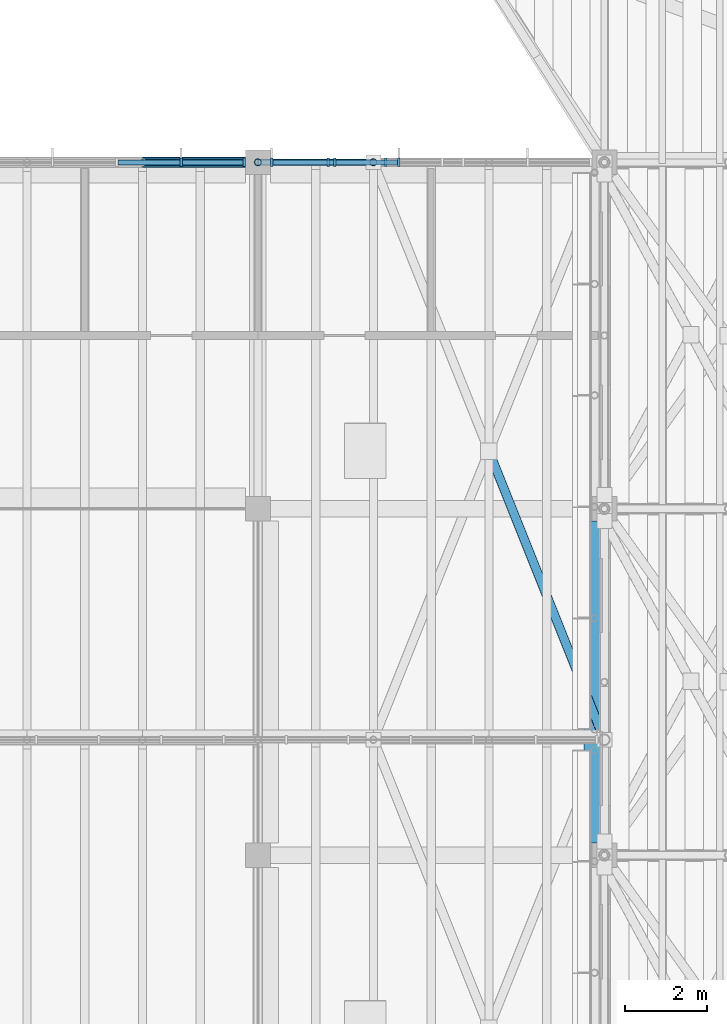
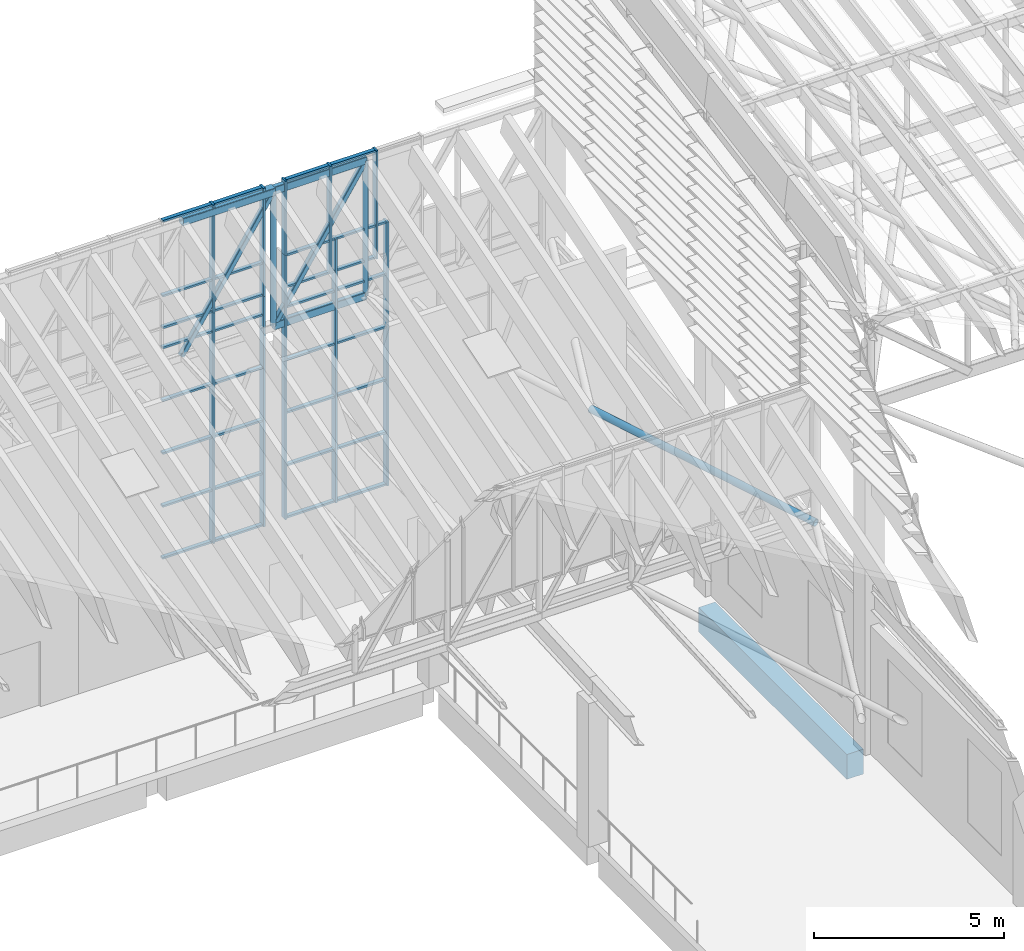
# One storey, part 34 of 91: 50 members, 1 beam, 4 elements without a shape of their own.
"""IFC4 building model written with IfcOpenShell, lengths in metres."""

import ifcopenshell
import ifcopenshell.guid

model = None  # the IFC model being written
_history = None  # IfcOwnerHistory: only IFC2X3 demands one
_inside = {}  # id of a spatial element -> (the spatial element, [elements in it])
_under = {}  # id of a project, library or spatial element -> (it, [spatial elements below it])
_declared = {}  # id of a project -> (the project, [libraries it declares])
_typed = {}  # id of a type object -> (the type object, [elements of that type])
_made_of = {}  # id of a material, layer set ... -> (it, [elements and type objects made of it])


def new_model(schema):
    """Start an empty IFC model of exactly this schema.

    Asked for "IFC4X3", IfcOpenShell would pick the latest addendum, in which some entities
    have other attributes; the version numbers below select the first issue.
    IFC2X3 requires an IfcOwnerHistory on every rooted entity: one is made here for all.
    """
    global model, _history
    if schema == "IFC4X3":
        model = ifcopenshell.file(schema_version=(4, 3, 0, 0))
    else:
        model = ifcopenshell.file(schema=schema)
    _inside.clear()
    _under.clear()
    _declared.clear()
    _typed.clear()
    _made_of.clear()
    _history = None
    if model.schema == "IFC2X3":
        org = make("IfcOrganization", Name="unknown")
        user = make(
            "IfcPersonAndOrganization",
            ThePerson=make("IfcPerson", FamilyName="unknown"),
            TheOrganization=org,
        )
        app = make(
            "IfcApplication",
            ApplicationDeveloper=org,
            Version="unknown",
            ApplicationFullName="unknown",
            ApplicationIdentifier="unknown",
        )
        _history = make(
            "IfcOwnerHistory",
            OwningUser=user,
            OwningApplication=app,
            ChangeAction="ADDED",
            CreationDate=0,
        )
    return model


def make(cls, **values):
    """One entity of the class cls with the attributes given. An attribute that is None is left unset."""
    return model.create_entity(
        cls, **{name: value for name, value in values.items() if value is not None}
    )


def rooted(cls, **values):
    """An entity with a GlobalId (a new one), such as an element, a storey or a relation."""
    return make(cls, GlobalId=ifcopenshell.guid.new(), OwnerHistory=_history, **values)


def si_unit(unit_type, name, prefix=None):
    """IfcSIUnit, for example si_unit("LENGTHUNIT", "METRE", prefix="MILLI")."""
    return make("IfcSIUnit", UnitType=unit_type, Prefix=prefix, Name=name)


def assignment(units):
    """IfcUnitAssignment: the units of a project."""
    return None if units is None else make("IfcUnitAssignment", Units=units)


def point(xyz):
    """IfcCartesianPoint."""
    return None if xyz is None else make("IfcCartesianPoint", Coordinates=xyz)


def direction(xyz):
    """IfcDirection."""
    return None if xyz is None else make("IfcDirection", DirectionRatios=xyz)


def frame(location, z_axis=None, x_axis=None):
    """IfcAxis2Placement3D, a coordinate frame: its origin and axes. An axis left out is left unset."""
    return make(
        "IfcAxis2Placement3D",
        Location=point(location),
        Axis=direction(z_axis),
        RefDirection=direction(x_axis),
    )


def frame_2d(location, x_axis=None):
    """IfcAxis2Placement2D, a coordinate frame in the plane: its origin and x axis."""
    return make(
        "IfcAxis2Placement2D", Location=point(location), RefDirection=direction(x_axis)
    )


def origin():
    """The frame at (0, 0, 0) with its axes left unset."""
    return frame((0.0, 0.0, 0.0))


def origin_2d():
    """The frame at (0, 0) in the plane with its x axis left unset."""
    return frame_2d((0.0, 0.0))


def place(relative_to, where):
    """IfcLocalPlacement: puts the frame where relative to a parent placement (None: the world)."""
    return make(
        "IfcLocalPlacement", PlacementRelTo=relative_to, RelativePlacement=where
    )


def context(
    kind, dimensions, precision=None, world=None, true_north=None, identifier=None
):
    """IfcGeometricRepresentationContext, for example the 3D "Model" context."""
    return make(
        "IfcGeometricRepresentationContext",
        ContextIdentifier=identifier,
        ContextType=kind,
        CoordinateSpaceDimension=dimensions,
        Precision=precision,
        WorldCoordinateSystem=world,
        TrueNorth=true_north,
    )


def subcontext(parent, identifier, kind, view, scale=None):
    """IfcGeometricRepresentationSubContext, for example "Body" below "Model"."""
    return make(
        "IfcGeometricRepresentationSubContext",
        ContextIdentifier=identifier,
        ContextType=kind,
        ParentContext=parent,
        TargetScale=scale,
        TargetView=view,
    )


def project(units=None, contexts=None):
    """IfcProject with its units and contexts."""
    return rooted(
        "IfcProject",
        Name="project",
        RepresentationContexts=contexts,
        UnitsInContext=assignment(units),
    )


def spatial(cls, under=None, at=None, **own):
    """A site, building, storey or space (cls), placed at a placement, below another one or the project."""
    s = rooted(cls, ObjectPlacement=at, **own)
    if under is not None:
        _under.setdefault(under.id(), (under, []))[1].append(s)
    return s


def profile(cls, at=None, kind="AREA", **sizes):
    """A parametric profile (cls). Its sizes go by their IFC names, for example OverallWidth=200.0."""
    return make(cls, ProfileType=kind, Position=at, **sizes)


def rectangle(**sizes):
    """IfcRectangleProfileDef."""
    return profile("IfcRectangleProfileDef", **sizes)


def hollow_rectangle(**sizes):
    """IfcRectangleHollowProfileDef."""
    return profile("IfcRectangleHollowProfileDef", **sizes)


def hollow_circle(**sizes):
    """IfcCircleHollowProfileDef."""
    return profile("IfcCircleHollowProfileDef", **sizes)


def extrude(swept, where, along, depth):
    """IfcExtrudedAreaSolid: the profile swept, set in the frame where, extruded along a direction by depth."""
    return make(
        "IfcExtrudedAreaSolid",
        SweptArea=swept,
        Position=where,
        ExtrudedDirection=direction(along),
        Depth=depth,
    )


def shape(context_of_items, identifier, shape_type, items):
    """IfcShapeRepresentation: the items that make up one representation, for example the "Body"."""
    return make(
        "IfcShapeRepresentation",
        ContextOfItems=context_of_items,
        RepresentationIdentifier=identifier,
        RepresentationType=shape_type,
        Items=items,
    )


def material(Name=None, Category=None):
    """IfcMaterial."""
    return make("IfcMaterial", Name=Name, Category=Category)


def material_profile(
    of_material, cross_section, Name=None, Category=None, Priority=None
):
    """IfcMaterialProfile: a cross section and its material."""
    return make(
        "IfcMaterialProfile",
        Name=Name,
        Material=of_material,
        Profile=cross_section,
        Priority=Priority,
        Category=Category,
    )


def profile_set(profiles, Name=None, composite=None):
    """IfcMaterialProfileSet."""
    return make(
        "IfcMaterialProfileSet",
        Name=Name,
        MaterialProfiles=profiles,
        CompositeProfile=composite,
    )


def made_of(thing, what):
    """Note that an element or type object is made of a material, layer set ...; save() writes the relation."""
    if what is not None:
        _made_of.setdefault(what.id(), (what, []))[1].append(thing)
    return thing


def type_object(cls, material=None, **own):
    """A type object (cls), such as IfcWallType, which elements share."""
    return made_of(rooted(cls, **own), material)


def element(
    cls,
    number,
    at=None,
    inside=None,
    cuts=None,
    type_object=None,
    material=None,
    context=None,
    identifier="Body",
    shape_type=None,
    held_by="IfcProductDefinitionShape",
    body=None,
    shapes=None,
    **own,
):
    """One element of the class cls, such as IfcWall. Its Tag is "e" and its number.

    at: its placement. inside: the storey or other place that contains it. cuts: it is an
    opening in that element (IfcRelVoidsElement). A single representation is given by context,
    identifier, shape_type and body (its items); several are given by shapes. held_by: the class
    of the entity that holds the representations. save() writes the other relations.
    """
    e = rooted(cls, Tag="e%d" % number, ObjectPlacement=at, **own)
    if body is not None:
        shapes = [shape(context, identifier, shape_type, body)]
    if shapes is not None:
        e.Representation = make(held_by, Representations=shapes)
    if inside is not None:
        _inside.setdefault(inside.id(), (inside, []))[1].append(e)
    if cuts is not None:
        rooted(
            "IfcRelVoidsElement", RelatingBuildingElement=cuts, RelatedOpeningElement=e
        )
    if type_object is not None:
        _typed.setdefault(type_object.id(), (type_object, []))[1].append(e)
    return made_of(e, material)


def aggregate(whole, parts):
    """IfcRelAggregates: a whole, such as a stair, and the parts it consists of."""
    return rooted("IfcRelAggregates", RelatingObject=whole, RelatedObjects=parts)


def save(model, path):
    """Write the relations noted so far, then the file.

    IfcRelAggregates (storeys below a building ...), IfcRelContainedInSpatialStructure (elements
    in a storey), IfcRelDefinesByType, IfcRelAssociatesMaterial and IfcRelDeclares: one each for
    every whole, place, type object, material and project.
    """
    for whole, parts in _under.values():
        aggregate(whole, parts)
    for where, things in _inside.values():
        rooted(
            "IfcRelContainedInSpatialStructure",
            RelatedElements=things,
            RelatingStructure=where,
        )
    for kind, things in _typed.values():
        rooted("IfcRelDefinesByType", RelatedObjects=things, RelatingType=kind)
    for what, things in _made_of.values():
        rooted("IfcRelAssociatesMaterial", RelatedObjects=things, RelatingMaterial=what)
    for by, libraries in _declared.values():
        rooted("IfcRelDeclares", RelatingContext=by, RelatedDefinitions=libraries)
    model.write(path)


model = new_model("IFC4")

# Units and contexts
model_context = context("Model", 3, precision=1e-05, world=origin(), true_north=direction((0.0, 1.0)))
body_context = subcontext(model_context, "Body", "Model", "MODEL_VIEW")
ifc_project = project(units=[si_unit("LENGTHUNIT", "METRE"), si_unit("AREAUNIT", "SQUARE_METRE"), si_unit("VOLUMEUNIT", "CUBIC_METRE"), si_unit("PLANEANGLEUNIT", "RADIAN"), si_unit("MASSUNIT", "GRAM", prefix="KILO")], contexts=[model_context])

# Site, building, storey
site_placement = place(None, origin())
site = spatial("IfcSite", under=ifc_project, at=site_placement, CompositionType="ELEMENT")
building_placement = place(site_placement, origin())
building = spatial("IfcBuilding", under=site, at=building_placement, Name="Almond Square Museum", CompositionType="ELEMENT")
storey_placement = place(building_placement, frame((0.0, 0.0, 30.0)))
storey = spatial("IfcBuildingStorey", under=building, at=storey_placement, Name="L05", CompositionType="ELEMENT", Elevation=30.0)

# Curtain wall, members
ifc_material_1 = material(Name="Aluminium and laminated glass", Category="aluminium")
curtain_wall_type = type_object("IfcCurtainWallType", Name="Unitised curtain wall 1500 module", PredefinedType="NOTDEFINED", material=ifc_material_1)
curtain_wall_1_placement = place(storey_placement, origin())
curtain_wall_1 = element("IfcCurtainWall", 1, at=curtain_wall_1_placement, inside=storey, type_object=curtain_wall_type, Name="Curtain wall CW-53", PredefinedType="NOTDEFINED")
ifc_material_2 = material(Name="Anodised aluminium", Category="aluminium")
ifc_material_profile_1 = material_profile(ifc_material_2, rectangle(XDim=0.199951171875, YDim=0.06005859375, at=origin_2d()))
ifc_profile_set_1 = profile_set([ifc_material_profile_1], Name="Anodised aluminium")
member_type_1 = type_object("IfcMemberType", Name="Aluminium mullion 60 x 200", PredefinedType="MULLION", material=ifc_profile_set_1)
member_1_placement = place(storey_placement, frame((98.72998046875, 109.199951171875, 0.0), z_axis=(0.0, 0.0, 1.0), x_axis=(0.0, 1.0, 0.0)))
member_1 = element("IfcMember", 2, at=member_1_placement, type_object=member_type_1, Name="CW-53 mullion 1", PredefinedType="MULLION", context=body_context, shape_type="SweptSolid", body=[
    extrude(rectangle(XDim=0.199951171875, YDim=0.06005859375, at=origin_2d()), origin(), (0.0, 0.0, 1.0), 8.480224609375),
])
member_2_placement = place(storey_placement, frame((100.260009765625, 109.199951171875, 0.0), z_axis=(0.0, 0.0, 1.0), x_axis=(0.0, 1.0, 0.0)))
member_2 = element("IfcMember", 3, at=member_2_placement, type_object=member_type_1, Name="CW-53 mullion 2", PredefinedType="MULLION", context=body_context, shape_type="SweptSolid", body=[
    extrude(rectangle(XDim=0.199951171875, YDim=0.06005859375, at=origin_2d()), origin(), (0.0, 0.0, 1.0), 8.480224609375),
])
member_3_placement = place(storey_placement, frame((101.820068359375, 109.199951171875, 0.0), z_axis=(0.0, 0.0, 1.0), x_axis=(0.0, 1.0, 0.0)))
member_3 = element("IfcMember", 4, at=member_3_placement, type_object=member_type_1, Name="CW-53 mullion 3", PredefinedType="MULLION", context=body_context, shape_type="SweptSolid", body=[
    extrude(rectangle(XDim=0.199951171875, YDim=0.06005859375, at=origin_2d()), origin(), (0.0, 0.0, 1.0), 8.480224609375),
])

curtain_wall_2_placement = place(storey_placement, origin())
curtain_wall_2 = element("IfcCurtainWall", 5, at=curtain_wall_2_placement, inside=storey, type_object=curtain_wall_type, Name="Curtain wall CW-54", PredefinedType="NOTDEFINED")
member_4_placement = place(storey_placement, frame((96.5400390625, 109.199951171875, 0.0), z_axis=(0.0, 0.0, 1.0), x_axis=(0.0, 1.0, 0.0)))
member_4 = element("IfcMember", 6, at=member_4_placement, type_object=member_type_1, Name="CW-54 mullion 5", PredefinedType="MULLION", context=body_context, shape_type="SweptSolid", body=[
    extrude(rectangle(XDim=0.199951171875, YDim=0.06005859375, at=origin_2d()), origin(), (0.0, 0.0, 1.0), 8.480224609375),
])
member_5_placement = place(storey_placement, frame((98.070068359375, 109.199951171875, 0.0), z_axis=(0.0, 0.0, 1.0), x_axis=(0.0, 1.0, 0.0)))
member_5 = element("IfcMember", 7, at=member_5_placement, type_object=member_type_1, Name="CW-54 mullion 6", PredefinedType="MULLION", context=body_context, shape_type="SweptSolid", body=[
    extrude(rectangle(XDim=0.199951171875, YDim=0.06005859375, at=origin_2d()), origin(), (0.0, 0.0, 1.0), 8.480224609375),
])

curtain_wall_3_placement = place(storey_placement, origin())
curtain_wall_3 = element("IfcCurtainWall", 8, at=curtain_wall_3_placement, inside=storey, type_object=curtain_wall_type, Name="Rooflight glazing AG3", PredefinedType="NOTDEFINED")
member_6_placement = place(storey_placement, frame((96.5400390625, 109.199951171875, 7.39990234375), z_axis=(0.0, 0.0, 1.0), x_axis=(0.0, 1.0, 0.0)))
member_6 = element("IfcMember", 9, at=member_6_placement, type_object=member_type_1, Name="CW-59 mullion 5", PredefinedType="MULLION", context=body_context, shape_type="SweptSolid", body=[
    extrude(rectangle(XDim=0.199951171875, YDim=0.06005859375, at=origin_2d()), origin(), (0.0, 0.0, 1.0), 3.480224609375),
])
member_7_placement = place(storey_placement, frame((98.070068359375, 109.199951171875, 7.39990234375), z_axis=(0.0, 0.0, 1.0), x_axis=(0.0, 1.0, 0.0)))
member_7 = element("IfcMember", 10, at=member_7_placement, type_object=member_type_1, Name="CW-59 mullion 6", PredefinedType="MULLION", context=body_context, shape_type="SweptSolid", body=[
    extrude(rectangle(XDim=0.199951171875, YDim=0.06005859375, at=origin_2d()), origin(), (0.0, 0.0, 1.0), 3.480224609375),
])

curtain_wall_4_placement = place(storey_placement, origin())
curtain_wall_4 = element("IfcCurtainWall", 11, at=curtain_wall_4_placement, inside=storey, type_object=curtain_wall_type, Name="Rooflight glazing AG3", PredefinedType="NOTDEFINED")
member_8_placement = place(storey_placement, frame((98.72998046875, 109.199951171875, 7.39990234375), z_axis=(0.0, 0.0, 1.0), x_axis=(0.0, 1.0, 0.0)))
member_8 = element("IfcMember", 12, at=member_8_placement, type_object=member_type_1, Name="CW-60 mullion 1", PredefinedType="MULLION", context=body_context, shape_type="SweptSolid", body=[
    extrude(rectangle(XDim=0.199951171875, YDim=0.06005859375, at=origin_2d()), origin(), (0.0, 0.0, 1.0), 3.480224609375),
])
member_9_placement = place(storey_placement, frame((100.10009765625, 109.199951171875, 7.39990234375), z_axis=(0.0, 0.0, 1.0), x_axis=(0.0, 1.0, 0.0)))
member_9 = element("IfcMember", 13, at=member_9_placement, type_object=member_type_1, Name="CW-60 mullion 2", PredefinedType="MULLION", context=body_context, shape_type="SweptSolid", body=[
    extrude(rectangle(XDim=0.199951171875, YDim=0.06005859375, at=origin_2d()), origin(), (0.0, 0.0, 1.0), 3.480224609375),
])
member_10_placement = place(storey_placement, frame((101.5, 109.199951171875, 7.39990234375), z_axis=(0.0, 0.0, 1.0), x_axis=(0.0, 1.0, 0.0)))
member_10 = element("IfcMember", 14, at=member_10_placement, type_object=member_type_1, Name="CW-60 mullion 3", PredefinedType="MULLION", context=body_context, shape_type="SweptSolid", body=[
    extrude(rectangle(XDim=0.199951171875, YDim=0.06005859375, at=origin_2d()), origin(), (0.0, 0.0, 1.0), 3.480224609375),
])

# Member
ifc_material_3 = material(Name="Anodised aluminium", Category="aluminium")
ifc_material_profile_2 = material_profile(ifc_material_3, rectangle(XDim=0.1201171875, YDim=0.06005859375, at=origin_2d()))
ifc_profile_set_2 = profile_set([ifc_material_profile_2], Name="Anodised aluminium")
member_type_2 = type_object("IfcMemberType", Name="Aluminium transom 60 x 120", PredefinedType="USERDEFINED", material=ifc_profile_set_2)
member_11_placement = place(storey_placement, frame((98.760009765625, 109.199951171875, 0.030029296875), z_axis=(1.0, 0.0, 0.0), x_axis=(0.0, 1.0, 0.0)))
member_11 = element("IfcMember", 15, at=member_11_placement, type_object=member_type_2, Name="CW-53 transom 1.1", ObjectType="TRANSOM", PredefinedType="USERDEFINED", context=body_context, shape_type="SweptSolid", body=[
    extrude(rectangle(XDim=0.1201171875, YDim=0.06005859375, at=origin_2d()), origin(), (0.0, 0.0, 1.0), 1.469970703125),
])

member_12_placement = place(storey_placement, frame((98.760009765625, 109.199951171875, 1.696044921875), z_axis=(1.0, 0.0, 0.0), x_axis=(0.0, 1.0, 0.0)))
member_12 = element("IfcMember", 16, at=member_12_placement, type_object=member_type_2, Name="CW-53 transom 1.2", ObjectType="TRANSOM", PredefinedType="USERDEFINED", context=body_context, shape_type="SweptSolid", body=[
    extrude(rectangle(XDim=0.1201171875, YDim=0.06005859375, at=origin_2d()), origin(), (0.0, 0.0, 1.0), 1.469970703125),
])

member_13_placement = place(storey_placement, frame((98.760009765625, 109.199951171875, 3.39208984375), z_axis=(1.0, 0.0, 0.0), x_axis=(0.0, 1.0, 0.0)))
member_13 = element("IfcMember", 17, at=member_13_placement, type_object=member_type_2, Name="CW-53 transom 1.3", ObjectType="TRANSOM", PredefinedType="USERDEFINED", context=body_context, shape_type="SweptSolid", body=[
    extrude(rectangle(XDim=0.1201171875, YDim=0.06005859375, at=origin_2d()), origin(), (0.0, 0.0, 1.0), 1.469970703125),
])

member_14_placement = place(storey_placement, frame((98.760009765625, 109.199951171875, 5.088134765625), z_axis=(1.0, 0.0, 0.0), x_axis=(0.0, 1.0, 0.0)))
member_14 = element("IfcMember", 18, at=member_14_placement, type_object=member_type_2, Name="CW-53 transom 1.4", ObjectType="TRANSOM", PredefinedType="USERDEFINED", context=body_context, shape_type="SweptSolid", body=[
    extrude(rectangle(XDim=0.1201171875, YDim=0.06005859375, at=origin_2d()), origin(), (0.0, 0.0, 1.0), 1.469970703125),
])

member_15_placement = place(storey_placement, frame((98.760009765625, 109.199951171875, 6.7841796875), z_axis=(1.0, 0.0, 0.0), x_axis=(0.0, 1.0, 0.0)))
member_15 = element("IfcMember", 19, at=member_15_placement, type_object=member_type_2, Name="CW-53 transom 1.5", ObjectType="TRANSOM", PredefinedType="USERDEFINED", context=body_context, shape_type="SweptSolid", body=[
    extrude(rectangle(XDim=0.1201171875, YDim=0.06005859375, at=origin_2d()), origin(), (0.0, 0.0, 1.0), 1.469970703125),
])

member_16_placement = place(storey_placement, frame((98.760009765625, 109.199951171875, 8.4501953125), z_axis=(1.0, 0.0, 0.0), x_axis=(0.0, 1.0, 0.0)))
member_16 = element("IfcMember", 20, at=member_16_placement, type_object=member_type_2, Name="CW-53 transom 1.6", ObjectType="TRANSOM", PredefinedType="USERDEFINED", context=body_context, shape_type="SweptSolid", body=[
    extrude(rectangle(XDim=0.1201171875, YDim=0.06005859375, at=origin_2d()), origin(), (0.0, 0.0, 1.0), 1.469970703125),
])

member_17_placement = place(storey_placement, frame((100.2900390625, 109.199951171875, 0.030029296875), z_axis=(1.0, 0.0, 0.0), x_axis=(0.0, 1.0, 0.0)))
member_17 = element("IfcMember", 21, at=member_17_placement, type_object=member_type_2, Name="CW-53 transom 2.1", ObjectType="TRANSOM", PredefinedType="USERDEFINED", context=body_context, shape_type="SweptSolid", body=[
    extrude(rectangle(XDim=0.1201171875, YDim=0.06005859375, at=origin_2d()), origin(), (0.0, 0.0, 1.0), 1.5),
])

member_18_placement = place(storey_placement, frame((100.2900390625, 109.199951171875, 1.696044921875), z_axis=(1.0, 0.0, 0.0), x_axis=(0.0, 1.0, 0.0)))
member_18 = element("IfcMember", 22, at=member_18_placement, type_object=member_type_2, Name="CW-53 transom 2.2", ObjectType="TRANSOM", PredefinedType="USERDEFINED", context=body_context, shape_type="SweptSolid", body=[
    extrude(rectangle(XDim=0.1201171875, YDim=0.06005859375, at=origin_2d()), origin(), (0.0, 0.0, 1.0), 1.5),
])

member_19_placement = place(storey_placement, frame((100.2900390625, 109.199951171875, 3.39208984375), z_axis=(1.0, 0.0, 0.0), x_axis=(0.0, 1.0, 0.0)))
member_19 = element("IfcMember", 23, at=member_19_placement, type_object=member_type_2, Name="CW-53 transom 2.3", ObjectType="TRANSOM", PredefinedType="USERDEFINED", context=body_context, shape_type="SweptSolid", body=[
    extrude(rectangle(XDim=0.1201171875, YDim=0.06005859375, at=origin_2d()), origin(), (0.0, 0.0, 1.0), 1.5),
])

member_20_placement = place(storey_placement, frame((100.2900390625, 109.199951171875, 5.088134765625), z_axis=(1.0, 0.0, 0.0), x_axis=(0.0, 1.0, 0.0)))
member_20 = element("IfcMember", 24, at=member_20_placement, type_object=member_type_2, Name="CW-53 transom 2.4", ObjectType="TRANSOM", PredefinedType="USERDEFINED", context=body_context, shape_type="SweptSolid", body=[
    extrude(rectangle(XDim=0.1201171875, YDim=0.06005859375, at=origin_2d()), origin(), (0.0, 0.0, 1.0), 1.5),
])

member_21_placement = place(storey_placement, frame((100.2900390625, 109.199951171875, 6.7841796875), z_axis=(1.0, 0.0, 0.0), x_axis=(0.0, 1.0, 0.0)))
member_21 = element("IfcMember", 25, at=member_21_placement, type_object=member_type_2, Name="CW-53 transom 2.5", ObjectType="TRANSOM", PredefinedType="USERDEFINED", context=body_context, shape_type="SweptSolid", body=[
    extrude(rectangle(XDim=0.1201171875, YDim=0.06005859375, at=origin_2d()), origin(), (0.0, 0.0, 1.0), 1.5),
])

member_22_placement = place(storey_placement, frame((100.2900390625, 109.199951171875, 8.4501953125), z_axis=(1.0, 0.0, 0.0), x_axis=(0.0, 1.0, 0.0)))
member_22 = element("IfcMember", 26, at=member_22_placement, type_object=member_type_2, Name="CW-53 transom 2.6", ObjectType="TRANSOM", PredefinedType="USERDEFINED", context=body_context, shape_type="SweptSolid", body=[
    extrude(rectangle(XDim=0.1201171875, YDim=0.06005859375, at=origin_2d()), origin(), (0.0, 0.0, 1.0), 1.5),
])

aggregate(curtain_wall_1, [member_1, member_2, member_3, member_11, member_12, member_13, member_14, member_15, member_16, member_17, member_18, member_19, member_20, member_21, member_22])

member_23_placement = place(storey_placement, frame((95.010009765625, 109.199951171875, 0.030029296875), z_axis=(1.0, 0.0, 0.0), x_axis=(0.0, 1.0, 0.0)))
member_23 = element("IfcMember", 27, at=member_23_placement, type_object=member_type_2, Name="CW-54 transom 4.1", ObjectType="TRANSOM", PredefinedType="USERDEFINED", context=body_context, shape_type="SweptSolid", body=[
    extrude(rectangle(XDim=0.1201171875, YDim=0.06005859375, at=origin_2d()), origin(), (0.0, 0.0, 1.0), 1.5),
])

member_24_placement = place(storey_placement, frame((95.010009765625, 109.199951171875, 1.696044921875), z_axis=(1.0, 0.0, 0.0), x_axis=(0.0, 1.0, 0.0)))
member_24 = element("IfcMember", 28, at=member_24_placement, type_object=member_type_2, Name="CW-54 transom 4.2", ObjectType="TRANSOM", PredefinedType="USERDEFINED", context=body_context, shape_type="SweptSolid", body=[
    extrude(rectangle(XDim=0.1201171875, YDim=0.06005859375, at=origin_2d()), origin(), (0.0, 0.0, 1.0), 1.5),
])

member_25_placement = place(storey_placement, frame((95.010009765625, 109.199951171875, 3.39208984375), z_axis=(1.0, 0.0, 0.0), x_axis=(0.0, 1.0, 0.0)))
member_25 = element("IfcMember", 29, at=member_25_placement, type_object=member_type_2, Name="CW-54 transom 4.3", ObjectType="TRANSOM", PredefinedType="USERDEFINED", context=body_context, shape_type="SweptSolid", body=[
    extrude(rectangle(XDim=0.1201171875, YDim=0.06005859375, at=origin_2d()), origin(), (0.0, 0.0, 1.0), 1.5),
])

member_26_placement = place(storey_placement, frame((95.010009765625, 109.199951171875, 5.088134765625), z_axis=(1.0, 0.0, 0.0), x_axis=(0.0, 1.0, 0.0)))
member_26 = element("IfcMember", 30, at=member_26_placement, type_object=member_type_2, Name="CW-54 transom 4.4", ObjectType="TRANSOM", PredefinedType="USERDEFINED", context=body_context, shape_type="SweptSolid", body=[
    extrude(rectangle(XDim=0.1201171875, YDim=0.06005859375, at=origin_2d()), origin(), (0.0, 0.0, 1.0), 1.5),
])

member_27_placement = place(storey_placement, frame((95.010009765625, 109.199951171875, 6.7841796875), z_axis=(1.0, 0.0, 0.0), x_axis=(0.0, 1.0, 0.0)))
member_27 = element("IfcMember", 31, at=member_27_placement, type_object=member_type_2, Name="CW-54 transom 4.5", ObjectType="TRANSOM", PredefinedType="USERDEFINED", context=body_context, shape_type="SweptSolid", body=[
    extrude(rectangle(XDim=0.1201171875, YDim=0.06005859375, at=origin_2d()), origin(), (0.0, 0.0, 1.0), 1.5),
])

member_28_placement = place(storey_placement, frame((95.010009765625, 109.199951171875, 8.4501953125), z_axis=(1.0, 0.0, 0.0), x_axis=(0.0, 1.0, 0.0)))
member_28 = element("IfcMember", 32, at=member_28_placement, type_object=member_type_2, Name="CW-54 transom 4.6", ObjectType="TRANSOM", PredefinedType="USERDEFINED", context=body_context, shape_type="SweptSolid", body=[
    extrude(rectangle(XDim=0.1201171875, YDim=0.06005859375, at=origin_2d()), origin(), (0.0, 0.0, 1.0), 1.5),
])

member_29_placement = place(storey_placement, frame((96.570068359375, 109.199951171875, 0.030029296875), z_axis=(1.0, 0.0, 0.0), x_axis=(0.0, 1.0, 0.0)))
member_29 = element("IfcMember", 33, at=member_29_placement, type_object=member_type_2, Name="CW-54 transom 5.1", ObjectType="TRANSOM", PredefinedType="USERDEFINED", context=body_context, shape_type="SweptSolid", body=[
    extrude(rectangle(XDim=0.1201171875, YDim=0.06005859375, at=origin_2d()), origin(), (0.0, 0.0, 1.0), 1.469970703125),
])

member_30_placement = place(storey_placement, frame((96.570068359375, 109.199951171875, 1.696044921875), z_axis=(1.0, 0.0, 0.0), x_axis=(0.0, 1.0, 0.0)))
member_30 = element("IfcMember", 34, at=member_30_placement, type_object=member_type_2, Name="CW-54 transom 5.2", ObjectType="TRANSOM", PredefinedType="USERDEFINED", context=body_context, shape_type="SweptSolid", body=[
    extrude(rectangle(XDim=0.1201171875, YDim=0.06005859375, at=origin_2d()), origin(), (0.0, 0.0, 1.0), 1.469970703125),
])

member_31_placement = place(storey_placement, frame((96.570068359375, 109.199951171875, 3.39208984375), z_axis=(1.0, 0.0, 0.0), x_axis=(0.0, 1.0, 0.0)))
member_31 = element("IfcMember", 35, at=member_31_placement, type_object=member_type_2, Name="CW-54 transom 5.3", ObjectType="TRANSOM", PredefinedType="USERDEFINED", context=body_context, shape_type="SweptSolid", body=[
    extrude(rectangle(XDim=0.1201171875, YDim=0.06005859375, at=origin_2d()), origin(), (0.0, 0.0, 1.0), 1.469970703125),
])

member_32_placement = place(storey_placement, frame((96.570068359375, 109.199951171875, 5.088134765625), z_axis=(1.0, 0.0, 0.0), x_axis=(0.0, 1.0, 0.0)))
member_32 = element("IfcMember", 36, at=member_32_placement, type_object=member_type_2, Name="CW-54 transom 5.4", ObjectType="TRANSOM", PredefinedType="USERDEFINED", context=body_context, shape_type="SweptSolid", body=[
    extrude(rectangle(XDim=0.1201171875, YDim=0.06005859375, at=origin_2d()), origin(), (0.0, 0.0, 1.0), 1.469970703125),
])

member_33_placement = place(storey_placement, frame((96.570068359375, 109.199951171875, 6.7841796875), z_axis=(1.0, 0.0, 0.0), x_axis=(0.0, 1.0, 0.0)))
member_33 = element("IfcMember", 37, at=member_33_placement, type_object=member_type_2, Name="CW-54 transom 5.5", ObjectType="TRANSOM", PredefinedType="USERDEFINED", context=body_context, shape_type="SweptSolid", body=[
    extrude(rectangle(XDim=0.1201171875, YDim=0.06005859375, at=origin_2d()), origin(), (0.0, 0.0, 1.0), 1.469970703125),
])

member_34_placement = place(storey_placement, frame((96.570068359375, 109.199951171875, 8.4501953125), z_axis=(1.0, 0.0, 0.0), x_axis=(0.0, 1.0, 0.0)))
member_34 = element("IfcMember", 38, at=member_34_placement, type_object=member_type_2, Name="CW-54 transom 5.6", ObjectType="TRANSOM", PredefinedType="USERDEFINED", context=body_context, shape_type="SweptSolid", body=[
    extrude(rectangle(XDim=0.1201171875, YDim=0.06005859375, at=origin_2d()), origin(), (0.0, 0.0, 1.0), 1.469970703125),
])

aggregate(curtain_wall_2, [member_4, member_5, member_23, member_24, member_25, member_26, member_27, member_28, member_29, member_30, member_31, member_32, member_33, member_34])

member_35_placement = place(storey_placement, frame((95.010009765625, 109.199951171875, 7.429931640625), z_axis=(1.0, 0.0, 0.0), x_axis=(0.0, 1.0, 0.0)))
member_35 = element("IfcMember", 39, at=member_35_placement, type_object=member_type_2, Name="CW-59 transom 4.1", ObjectType="TRANSOM", PredefinedType="USERDEFINED", context=body_context, shape_type="SweptSolid", body=[
    extrude(rectangle(XDim=0.1201171875, YDim=0.06005859375, at=origin_2d()), origin(), (0.0, 0.0, 1.0), 1.5),
])

member_36_placement = place(storey_placement, frame((95.010009765625, 109.199951171875, 10.850341796875), z_axis=(1.0, 0.0, 0.0), x_axis=(0.0, 1.0, 0.0)))
member_36 = element("IfcMember", 40, at=member_36_placement, type_object=member_type_2, Name="CW-59 transom 4.2", ObjectType="TRANSOM", PredefinedType="USERDEFINED", context=body_context, shape_type="SweptSolid", body=[
    extrude(rectangle(XDim=0.1201171875, YDim=0.06005859375, at=origin_2d()), origin(), (0.0, 0.0, 1.0), 1.5),
])

member_37_placement = place(storey_placement, frame((96.570068359375, 109.199951171875, 7.429931640625), z_axis=(1.0, 0.0, 0.0), x_axis=(0.0, 1.0, 0.0)))
member_37 = element("IfcMember", 41, at=member_37_placement, type_object=member_type_2, Name="CW-59 transom 5.1", ObjectType="TRANSOM", PredefinedType="USERDEFINED", context=body_context, shape_type="SweptSolid", body=[
    extrude(rectangle(XDim=0.1201171875, YDim=0.06005859375, at=origin_2d()), origin(), (0.0, 0.0, 1.0), 1.469970703125),
])

member_38_placement = place(storey_placement, frame((96.570068359375, 109.199951171875, 10.850341796875), z_axis=(1.0, 0.0, 0.0), x_axis=(0.0, 1.0, 0.0)))
member_38 = element("IfcMember", 42, at=member_38_placement, type_object=member_type_2, Name="CW-59 transom 5.2", ObjectType="TRANSOM", PredefinedType="USERDEFINED", context=body_context, shape_type="SweptSolid", body=[
    extrude(rectangle(XDim=0.1201171875, YDim=0.06005859375, at=origin_2d()), origin(), (0.0, 0.0, 1.0), 1.469970703125),
])

aggregate(curtain_wall_3, [member_6, member_7, member_35, member_36, member_37, member_38])

member_39_placement = place(storey_placement, frame((98.760009765625, 109.199951171875, 7.429931640625), z_axis=(1.0, 0.0, 0.0), x_axis=(0.0, 1.0, 0.0)))
member_39 = element("IfcMember", 43, at=member_39_placement, type_object=member_type_2, Name="CW-60 transom 1.1", ObjectType="TRANSOM", PredefinedType="USERDEFINED", context=body_context, shape_type="SweptSolid", body=[
    extrude(rectangle(XDim=0.1201171875, YDim=0.06005859375, at=origin_2d()), origin(), (0.0, 0.0, 1.0), 1.31005859375),
])

member_40_placement = place(storey_placement, frame((98.760009765625, 109.199951171875, 10.850341796875), z_axis=(1.0, 0.0, 0.0), x_axis=(0.0, 1.0, 0.0)))
member_40 = element("IfcMember", 44, at=member_40_placement, type_object=member_type_2, Name="CW-60 transom 1.2", ObjectType="TRANSOM", PredefinedType="USERDEFINED", context=body_context, shape_type="SweptSolid", body=[
    extrude(rectangle(XDim=0.1201171875, YDim=0.06005859375, at=origin_2d()), origin(), (0.0, 0.0, 1.0), 1.31005859375),
])

member_41_placement = place(storey_placement, frame((100.1298828125, 109.199951171875, 7.429931640625), z_axis=(1.0, 0.0, 0.0), x_axis=(0.0, 1.0, 0.0)))
member_41 = element("IfcMember", 45, at=member_41_placement, type_object=member_type_2, Name="CW-60 transom 2.1", ObjectType="TRANSOM", PredefinedType="USERDEFINED", context=body_context, shape_type="SweptSolid", body=[
    extrude(rectangle(XDim=0.1201171875, YDim=0.06005859375, at=origin_2d()), origin(), (0.0, 0.0, 1.0), 1.340087890625),
])

member_42_placement = place(storey_placement, frame((100.1298828125, 109.199951171875, 10.850341796875), z_axis=(1.0, 0.0, 0.0), x_axis=(0.0, 1.0, 0.0)))
member_42 = element("IfcMember", 46, at=member_42_placement, type_object=member_type_2, Name="CW-60 transom 2.2", ObjectType="TRANSOM", PredefinedType="USERDEFINED", context=body_context, shape_type="SweptSolid", body=[
    extrude(rectangle(XDim=0.1201171875, YDim=0.06005859375, at=origin_2d()), origin(), (0.0, 0.0, 1.0), 1.340087890625),
])

aggregate(curtain_wall_4, [member_8, member_9, member_10, member_39, member_40, member_41, member_42])

# Beam
ifc_material_4 = material(Name="Concrete C40/50", Category="concrete")
ifc_material_profile_3 = material_profile(ifc_material_4, rectangle(XDim=0.5, YDim=0.800048828125, at=origin_2d()))
ifc_profile_set_3 = profile_set([ifc_material_profile_3], Name="Concrete C40/50")
beam_type = type_object("IfcBeamType", Name="RC edge beam 500 x 800 C40/50", PredefinedType="BEAM", material=ifc_profile_set_3)
beam_placement = place(storey_placement, frame((106.550048828125, 92.699951171875, -0.64990234375), z_axis=(0.0, 1.0, 0.0), x_axis=(-1.0, 0.0, 0.0)))
element("IfcBeam", 47, at=beam_placement, inside=storey, type_object=beam_type, Name="Edge beam 14 L-M L05", PredefinedType="BEAM", context=body_context, shape_type="SweptSolid", body=[
    extrude(rectangle(XDim=0.5, YDim=0.800048828125, at=origin_2d()), origin(), (0.0, 0.0, 1.0), 7.800048828125),
])

# Members
ifc_material_5 = material(Name="Structural steel S355", Category="steel")
ifc_material_profile_4 = material_profile(ifc_material_5, hollow_circle(Radius=0.109619140625, WallThickness=0.010009765625, at=origin_2d()))
ifc_profile_set_4 = profile_set([ifc_material_profile_4], Name="Structural steel S355")
member_type_3 = type_object("IfcMemberType", Name="Roof brace CHS 219.1x10", PredefinedType="BRACE", material=ifc_profile_set_4)
member_43_placement = place(storey_placement, frame((106.800048828125, 95.199951171875, 5.505126953125), z_axis=(-0.370874256532, 0.927169472778, 0.053000514993), x_axis=(-0.928474457584, -0.371396259558, 0.0)))
element("IfcMember", 48, at=member_43_placement, inside=storey, type_object=member_type_3, Name="Atrium bay 2 plan brace", PredefinedType="BRACE", context=body_context, shape_type="SweptSolid", body=[
    extrude(hollow_circle(Radius=0.109619140625, WallThickness=0.010009765625, at=origin_2d()), origin(), (0.0, 0.0, 1.0), 7.5498046875),
])
ifc_material_6 = material(Name="Structural steel S355", Category="steel")
ifc_material_profile_5 = material_profile(ifc_material_6, hollow_rectangle(XDim=0.14990234375, YDim=0.25, WallThickness=0.010009765625, InnerFilletRadius=0.014892578125, OuterFilletRadius=0.02490234375, at=origin_2d()))
ifc_profile_set_5 = profile_set([ifc_material_profile_5], Name="Structural steel S355")
member_type_4 = type_object("IfcMemberType", Name="Truss chord RHS 250x150x10", PredefinedType="CHORD", material=ifc_profile_set_5)
for number, where, z_axis, x_axis, name in (
    (49, (98.39990234375, 109.199951171875, 10.650634765625), (1.0, 0.0, 0.0), (0.0, 1.0, 0.0), "TR-12 top chord 10"),
    (50, (98.39990234375, 109.199951171875, 6.30517578125), (1.0, 0.0, 0.0), (0.0, 1.0, 0.0), "TR-12 bottom chord 10"),
):
    element("IfcMember", number, at=place(storey_placement, frame(where, z_axis=z_axis, x_axis=x_axis)), inside=storey, type_object=member_type_4, Name=name, PredefinedType="CHORD", context=body_context, shape_type="SweptSolid", body=[
        extrude(hollow_rectangle(XDim=0.14990234375, YDim=0.25, WallThickness=0.010009765625, InnerFilletRadius=0.014892578125, OuterFilletRadius=0.02490234375, at=origin_2d()), origin(), (0.0, 0.0, 1.0), 2.800048828125),
    ])
ifc_material_7 = material(Name="Structural steel S355", Category="steel")
ifc_material_profile_6 = material_profile(ifc_material_7, hollow_rectangle(XDim=0.25, YDim=0.25, WallThickness=0.012451171875, InnerFilletRadius=0.02490234375, OuterFilletRadius=0.03759765625, at=origin_2d()))
ifc_profile_set_6 = profile_set([ifc_material_profile_6], Name="Structural steel S355")
member_type_5 = type_object("IfcMemberType", Name="Truss chord SHS 250x250x12.5", PredefinedType="CHORD", material=ifc_profile_set_6)
member_44_placement = place(storey_placement, frame((95.60009765625, 109.199951171875, 10.650634765625), z_axis=(1.0, 0.0, 0.0), x_axis=(0.0, 1.0, 0.0)))
element("IfcMember", 51, at=member_44_placement, inside=storey, type_object=member_type_5, Name="TR-12 top chord 9", PredefinedType="CHORD", context=body_context, shape_type="SweptSolid", body=[
    extrude(hollow_rectangle(XDim=0.25, YDim=0.25, WallThickness=0.012451171875, InnerFilletRadius=0.02490234375, OuterFilletRadius=0.03759765625, at=origin_2d()), origin(), (0.0, 0.0, 1.0), 2.7998046875),
])
ifc_material_8 = material(Name="Structural steel S355", Category="steel")
ifc_material_profile_7 = material_profile(ifc_material_8, hollow_rectangle(XDim=0.14990234375, YDim=0.14990234375, WallThickness=0.008056640625, InnerFilletRadius=0.011962890625, OuterFilletRadius=0.02001953125, at=origin_2d()))
ifc_profile_set_7 = profile_set([ifc_material_profile_7], Name="Structural steel S355")
member_type_6 = type_object("IfcMemberType", Name="Truss diagonal SHS 150x150x8", PredefinedType="BRACE", material=ifc_profile_set_7)
for number, where, z_axis, x_axis, name in (
    (52, (95.60009765625, 109.199951171875, 6.30517578125), (0.54161901868, 0.0, 0.840624076865), (0.0, 1.0, 0.0), "TR-12 diagonal 9"),
    (53, (98.39990234375, 109.199951171875, 6.30517578125), (0.541652391523, 0.0, 0.840602573609), (0.0, 1.0, 0.0), "TR-12 diagonal 10"),
):
    element("IfcMember", number, at=place(storey_placement, frame(where, z_axis=z_axis, x_axis=x_axis)), inside=storey, type_object=member_type_6, Name=name, PredefinedType="BRACE", context=body_context, shape_type="SweptSolid", body=[
        extrude(hollow_rectangle(XDim=0.14990234375, YDim=0.14990234375, WallThickness=0.008056640625, InnerFilletRadius=0.011962890625, OuterFilletRadius=0.02001953125, at=origin_2d()), origin(), (0.0, 0.0, 1.0), 5.16943359375),
    ])
ifc_material_9 = material(Name="Structural steel S355", Category="steel")
ifc_material_profile_8 = material_profile(ifc_material_9, hollow_circle(Radius=0.084228515625, WallThickness=0.008056640625, at=origin_2d()))
ifc_profile_set_8 = profile_set([ifc_material_profile_8], Name="Structural steel S355")
member_type_7 = type_object("IfcMemberType", Name="Truss post CHS 168.3x8", PredefinedType="POST", material=ifc_profile_set_8)
for number, where, z_axis, x_axis, name in (
    (54, (98.39990234375, 109.199951171875, 6.30517578125), (0.0, 0.0, 1.0), (1.0, 0.0, 0.0), "TR-12 post 10"),
    (55, (101.199951171875, 109.199951171875, 6.30517578125), (0.0, 0.0, 1.0), (1.0, 0.0, 0.0), "TR-12 post 11"),
):
    element("IfcMember", number, at=place(storey_placement, frame(where, z_axis=z_axis, x_axis=x_axis)), inside=storey, type_object=member_type_7, Name=name, PredefinedType="POST", context=body_context, shape_type="SweptSolid", body=[
        extrude(hollow_circle(Radius=0.084228515625, WallThickness=0.008056640625, at=origin_2d()), origin(), (0.0, 0.0, 1.0), 4.345458984375),
    ])

save(model, "model.ifc")
